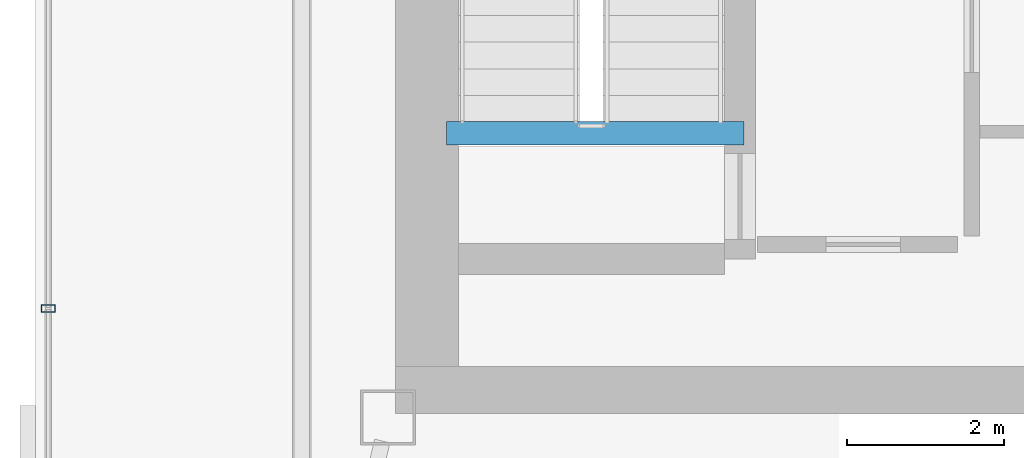
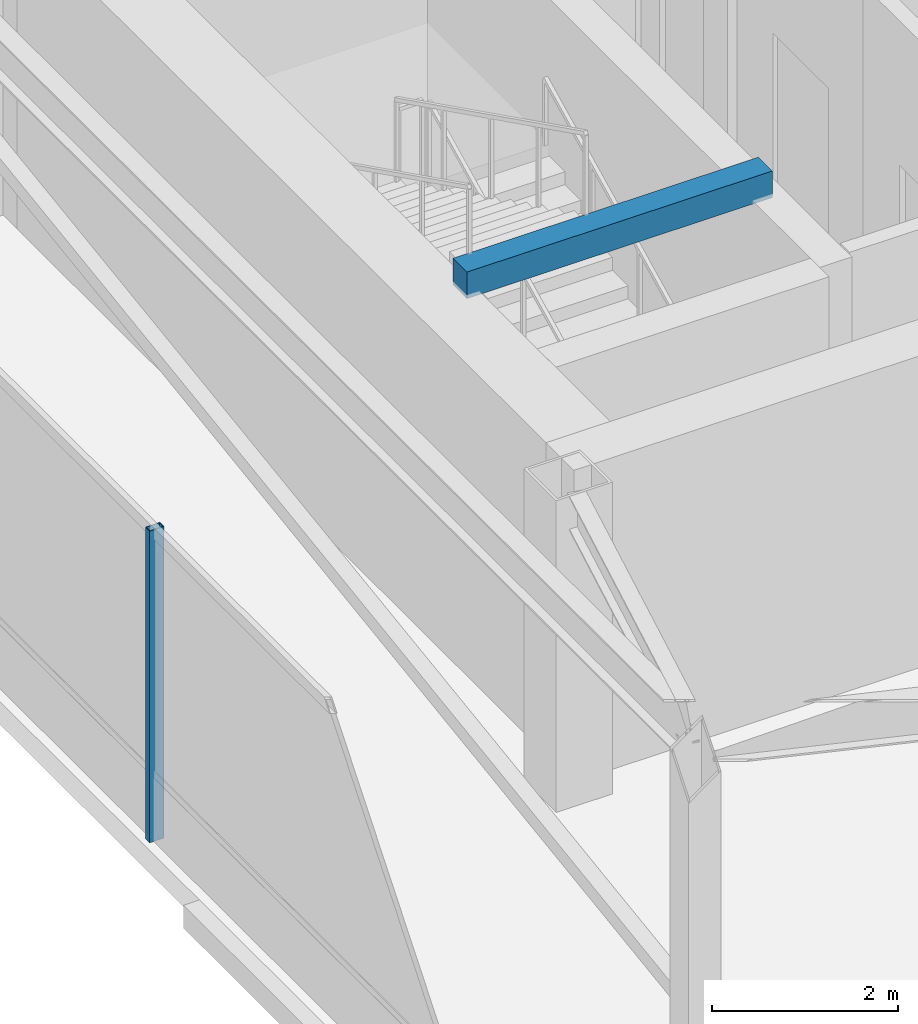
# One storey, part 3 of 21: 1 beam, 1 member, 1 element without a shape of its own.
"""IFC4 building model written with IfcOpenShell, lengths in metres."""

from ifc_helpers import new_model, si_unit, direction, frame, origin, origin_2d, place, context, subcontext, project, spatial, rectangle, hollow_rectangle, extrude, material, layer, layer_set, material_profile, profile_set, type_object, element, aggregate, save


model = new_model("IFC4")

# Units and contexts
model_context = context("Model", 3, precision=1e-05, world=origin(), true_north=direction((0.0, 1.0)))
body_context = subcontext(model_context, "Body", "Model", "MODEL_VIEW")
ifc_project = project(units=[si_unit("LENGTHUNIT", "METRE"), si_unit("AREAUNIT", "SQUARE_METRE"), si_unit("VOLUMEUNIT", "CUBIC_METRE"), si_unit("PLANEANGLEUNIT", "RADIAN"), si_unit("MASSUNIT", "GRAM", prefix="KILO")], contexts=[model_context])

# Site, building, storey
site_placement = place(None, origin())
site = spatial("IfcSite", under=ifc_project, at=site_placement, CompositionType="ELEMENT")
building_placement = place(site_placement, origin())
building = spatial("IfcBuilding", under=site, at=building_placement, Name="Tavrogorsk Clinical Tower", CompositionType="ELEMENT")
storey_placement = place(building_placement, frame((0.0, 0.0, 344.199951171875)))
storey = spatial("IfcBuildingStorey", under=building, at=storey_placement, Name="L80", CompositionType="ELEMENT", Elevation=344.199951171875)

# Curtain wall, member
ifc_material_1 = material(Name="Anodised aluminium and triple IGU glazing", Category="aluminium")
ifc_layer = layer(ifc_material_1, 0.179931640625)
ifc_layer_set = layer_set([ifc_layer], Name="Anodised aluminium and triple IGU glazing")
curtain_wall_type = type_object("IfcCurtainWallType", Name="CW5_SkyLobby", PredefinedType="NOTDEFINED", material=ifc_layer_set)
curtain_wall_placement = place(storey_placement, origin())
curtain_wall = element("IfcCurtainWall", 1, at=curtain_wall_placement, inside=storey, type_object=curtain_wall_type, Name="L80 Curtain Wall CW-L80-DRUM-2", PredefinedType="NOTDEFINED")
ifc_material_2 = material(Name="Anodised aluminium alloy AW-6060", Category="aluminium")
ifc_material_profile_1 = material_profile(ifc_material_2, hollow_rectangle(XDim=0.090087890625, YDim=0.179931640625, WallThickness=0.00634765625, at=origin_2d()), Name="RHS-180x90x6.3")
ifc_profile_set_1 = profile_set([ifc_material_profile_1], Name="Anodised aluminium alloy AW-6060")
member_type = type_object("IfcMemberType", Name="CwMullion_180x90", PredefinedType="MULLION", material=ifc_profile_set_1)
member_placement = place(storey_placement, frame((-26.43994140625, -4.9580078125, 0.0), z_axis=(0.0, 0.0, 1.0), x_axis=(0.0, 1.0, 0.0)))
member = element("IfcMember", 2, at=member_placement, type_object=member_type, Name="CW-L80-DRUM-2 Mullion 2", PredefinedType="MULLION", context=body_context, shape_type="SweptSolid", body=[
    extrude(hollow_rectangle(XDim=0.090087890625, YDim=0.179931640625, WallThickness=0.00634765625, at=origin_2d()), origin(), (0.0, 0.0, 1.0), 4.10009765625),
])
aggregate(curtain_wall, [member])

# Beam
ifc_material_3 = material(Name="Concrete B60", Category="concrete")
ifc_material_profile_2 = material_profile(ifc_material_3, rectangle(XDim=0.300048828125, YDim=0.35009765625, at=origin_2d()), Name="RC-SHB-300x350")
ifc_profile_set_2 = profile_set([ifc_material_profile_2], Name="Concrete B60")
beam_type = type_object("IfcBeamType", Name="StairHeaderBeam_RC300x350", PredefinedType="BEAM", material=ifc_profile_set_2)
beam_placement = place(storey_placement, frame((-21.35009765625, -2.719970703125, 4.22509765625), z_axis=(1.0, 0.0, 0.0), x_axis=(0.0, 1.0, 0.0)))
element("IfcBeam", 3, at=beam_placement, inside=storey, type_object=beam_type, Name="L81 ST-W Landing Header Beam", PredefinedType="BEAM", context=body_context, shape_type="SweptSolid", body=[
    extrude(rectangle(XDim=0.300048828125, YDim=0.35009765625, at=origin_2d()), origin(), (0.0, 0.0, 1.0), 3.800048828125),
])

save(model, "model.ifc")
